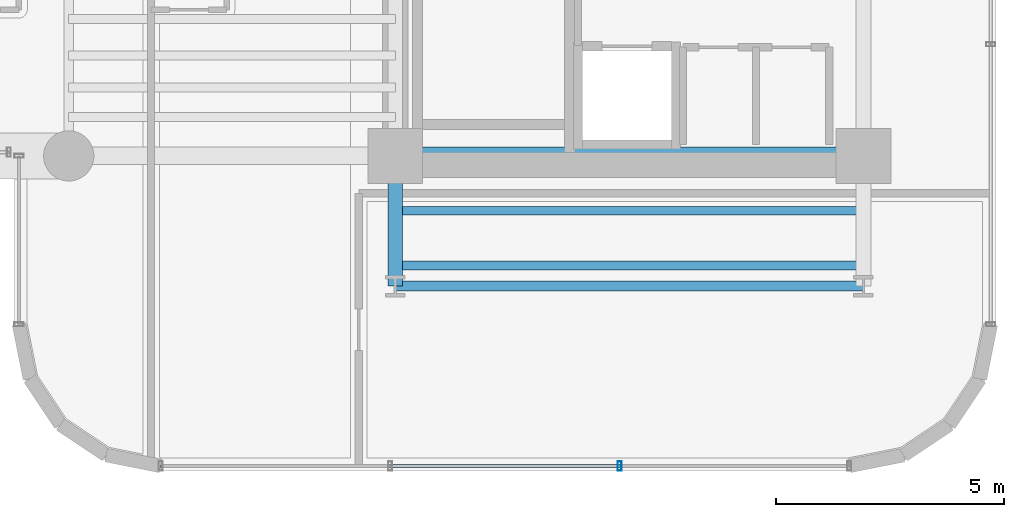
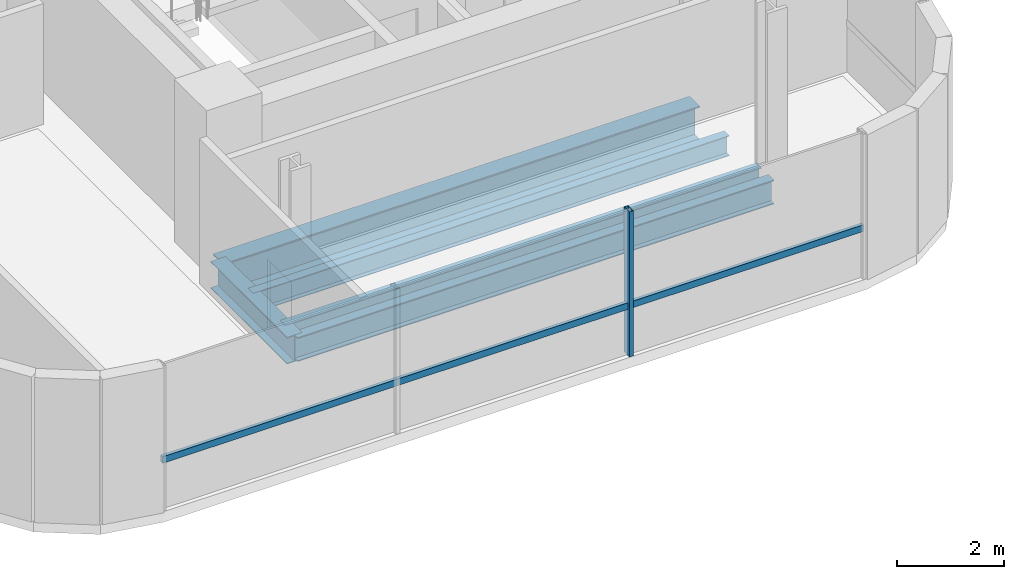
# One storey, part 3 of 35: 5 beams, 2 members, 1 element without a shape of its own.
"""IFC4 building model written with IfcOpenShell, lengths in metres."""

from ifc_helpers import new_model, si_unit, direction, frame, origin, origin_2d, place, context, subcontext, project, spatial, hollow_rectangle, i_section, extrude, source, transform, mapped, material, material_profile, profile_set, type_object, element, aggregate, save


model = new_model("IFC4")

# Units and contexts
model_context = context("Model", 3, precision=1e-05, world=origin(), true_north=direction((0.0, 1.0)))
body_context = subcontext(model_context, "Body", "Model", "MODEL_VIEW")
ifc_project = project(units=[si_unit("LENGTHUNIT", "METRE"), si_unit("AREAUNIT", "SQUARE_METRE"), si_unit("VOLUMEUNIT", "CUBIC_METRE"), si_unit("PLANEANGLEUNIT", "RADIAN"), si_unit("MASSUNIT", "GRAM", prefix="KILO")], contexts=[model_context])

# Site, building, storey
site_placement = place(None, origin())
site = spatial("IfcSite", under=ifc_project, at=site_placement, CompositionType="ELEMENT")
building_placement = place(site_placement, origin())
building = spatial("IfcBuilding", under=site, at=building_placement, Name="Valdorenza Pilgrim Sanctuary Tower", CompositionType="ELEMENT")
storey_placement = place(building_placement, frame((0.0, 0.0, 168.60009765625)))
storey = spatial("IfcBuildingStorey", under=building, at=storey_placement, Name="L43", CompositionType="ELEMENT", Elevation=168.60009765625)

# Beams
ifc_material_1 = material(Name="Steel ASTM A992 Grade 50", Category="steel")
ifc_material_profile_1 = material_profile(ifc_material_1, i_section(OverallWidth=0.214111328125, OverallDepth=0.549072265625, WebThickness=0.0146484375, FlangeThickness=0.023681640625, at=origin_2d()), Name="W21X93")
ifc_profile_set_1 = profile_set([ifc_material_profile_1], Name="Steel ASTM A992 Grade 50")
beam_type_1 = type_object("IfcBeamType", Name="STR-BM-SPN-W21A", PredefinedType="SPANDREL", material=ifc_profile_set_1)
shared_shape_1 = source(origin(), body_context, "Body", "SweptSolid", [
    extrude(i_section(OverallWidth=0.214111328125, OverallDepth=0.549072265625, WebThickness=0.0146484375, FlangeThickness=0.023681640625, at=origin_2d()), origin(), (0.0, 0.0, 1.0), 10.25),
])
beam_1_placement = place(storey_placement, frame((-22.64990234375, -13.449951171875, -0.5146484375), z_axis=(1.0, 0.0, 0.0), x_axis=(0.0, 1.0, 0.0)))
element("IfcBeam", 1, at=beam_1_placement, inside=storey, type_object=beam_type_1, Name="L43 South Spandrel WA-S-TIE", PredefinedType="SPANDREL", context=body_context, shape_type="MappedRepresentation", body=[
    mapped(shared_shape_1, transform((0.0, 0.0, 0.0), x_axis=(1.0, 0.0, 0.0), y_axis=(0.0, 1.0, 0.0), z_axis=(0.0, 0.0, 1.0), scale=1.0)),
])
ifc_material_profile_2 = material_profile(ifc_material_1, i_section(OverallWidth=0.323974609375, OverallDepth=0.611083984375, WebThickness=0.0126953125, FlangeThickness=0.01904296875, at=origin_2d()), Name="W24X104")
ifc_profile_set_2 = profile_set([ifc_material_profile_2], Name="Steel ASTM A992 Grade 50")
beam_type_2 = type_object("IfcBeamType", Name="STR-BM-GRD-W24B", PredefinedType="BEAM", material=ifc_profile_set_2)
shared_shape_2 = source(origin(), body_context, "Body", "SweptSolid", [
    extrude(i_section(OverallWidth=0.323974609375, OverallDepth=0.611083984375, WebThickness=0.0126953125, FlangeThickness=0.01904296875, at=origin_2d()), origin(), (0.0, 0.0, 1.0), 2.849853515625),
])
beam_2_placement = place(storey_placement, frame((-22.64990234375, -13.449951171875, -0.545654296875), z_axis=(0.0, 1.0, 0.0), x_axis=(-1.0, 0.0, 0.0)))
element("IfcBeam", 2, at=beam_2_placement, inside=storey, type_object=beam_type_2, Name="L43 Floor Girder WA-S-LW", PredefinedType="BEAM", context=body_context, shape_type="MappedRepresentation", body=[
    mapped(shared_shape_2, transform((0.0, 0.0, 0.0), x_axis=(1.0, 0.0, 0.0), y_axis=(0.0, 1.0, 0.0), z_axis=(0.0, 0.0, 1.0), scale=1.0)),
])
ifc_material_profile_3 = material_profile(ifc_material_1, i_section(OverallWidth=0.382080078125, OverallDepth=0.779052734375, WebThickness=0.01806640625, FlangeThickness=0.030029296875, at=origin_2d()), Name="W30X191")
ifc_profile_set_3 = profile_set([ifc_material_profile_3], Name="Steel ASTM A992 Grade 50")
beam_type_3 = type_object("IfcBeamType", Name="STR-BM-GRD-W30", PredefinedType="BEAM", material=ifc_profile_set_3)
shared_shape_3 = source(origin(), body_context, "Body", "SweptSolid", [
    extrude(i_section(OverallWidth=0.382080078125, OverallDepth=0.779052734375, WebThickness=0.01806640625, FlangeThickness=0.030029296875, at=origin_2d()), origin(), (0.0, 0.0, 1.0), 10.25),
])
beam_3_placement = place(storey_placement, frame((-22.64990234375, -10.60009765625, -0.629638671875), z_axis=(1.0, 0.0, 0.0), x_axis=(0.0, 1.0, 0.0)))
element("IfcBeam", 3, at=beam_3_placement, inside=storey, type_object=beam_type_3, Name="L43 Floor Girder CA-XC-S1", PredefinedType="BEAM", context=body_context, shape_type="MappedRepresentation", body=[
    mapped(shared_shape_3, transform((0.0, 0.0, 0.0), x_axis=(1.0, 0.0, 0.0), y_axis=(0.0, 1.0, 0.0), z_axis=(0.0, 0.0, 1.0), scale=1.0)),
])
ifc_material_profile_4 = material_profile(ifc_material_1, i_section(OverallWidth=0.19091796875, OverallDepth=0.45703125, WebThickness=0.009033203125, FlangeThickness=0.014404296875, at=origin_2d()), Name="W18X50")
ifc_profile_set_4 = profile_set([ifc_material_profile_4], Name="Steel ASTM A992 Grade 50")
beam_type_4 = type_object("IfcBeamType", Name="STR-BM-JST-W18B", PredefinedType="JOIST", material=ifc_profile_set_4)
shared_shape_4 = source(origin(), body_context, "Body", "SweptSolid", [
    extrude(i_section(OverallWidth=0.19091796875, OverallDepth=0.45703125, WebThickness=0.009033203125, FlangeThickness=0.014404296875, at=origin_2d()), origin(), (0.0, 0.0, 1.0), 10.25),
])
for number, where, z_axis, x_axis, name in (
    (4, (-22.64990234375, -13.0, -0.468505859375), (1.0, 0.0, 0.0), (0.0, 1.0, 0.0), "L43 Composite Floor Joist JST-WAS-1"),
    (5, (-22.64990234375, -11.800048828125, -0.468505859375), (1.0, 0.0, 0.0), (0.0, 1.0, 0.0), "L43 Composite Floor Joist JST-WAS-2"),
):
    element("IfcBeam", number, at=place(storey_placement, frame(where, z_axis=z_axis, x_axis=x_axis)), inside=storey, type_object=beam_type_4, Name=name, PredefinedType="JOIST", context=body_context, shape_type="MappedRepresentation", body=[
        mapped(shared_shape_4, transform((0.0, 0.0, 0.0), x_axis=(1.0, 0.0, 0.0), y_axis=(0.0, 1.0, 0.0), z_axis=(0.0, 0.0, 1.0), scale=1.0)),
    ])

# Curtain wall, members
ifc_material_2 = material(Name="Curtain-wall IGU glazing", Category="glass")
curtain_wall_type = type_object("IfcCurtainWallType", Name="CW-SYS-02", PredefinedType="NOTDEFINED", material=ifc_material_2)
curtain_wall_placement = place(storey_placement, origin())
curtain_wall = element("IfcCurtainWall", 6, at=curtain_wall_placement, inside=storey, type_object=curtain_wall_type, Name="L43 Curtain Wall CW-L43-1-26", PredefinedType="NOTDEFINED")
ifc_material_3 = material(Name="Anodised aluminium AW-6060", Category="aluminium")
ifc_material_profile_5 = material_profile(ifc_material_3, hollow_rectangle(XDim=0.074951171875, YDim=0.14990234375, WallThickness=0.00390625, at=origin_2d()), Name="ALU-T 150x75x4")
ifc_profile_set_5 = profile_set([ifc_material_profile_5], Name="Anodised aluminium AW-6060")
member_type_1 = type_object("IfcMemberType", Name="CW-TRN-02", PredefinedType="USERDEFINED", material=ifc_profile_set_5)
shared_shape_5 = source(origin(), body_context, "Body", "SweptSolid", [
    extrude(hollow_rectangle(XDim=0.074951171875, YDim=0.14990234375, WallThickness=0.00390625, at=origin_2d()), origin(), (0.0, 0.0, 1.0), 15.07861328125),
])
member_1_placement = place(storey_placement, frame((-12.710693359375, -17.389892578125, 1.119873046875), z_axis=(-1.0, 0.0, 0.0), x_axis=(0.0, -1.0, 0.0)))
member_1 = element("IfcMember", 7, at=member_1_placement, type_object=member_type_1, Name="CW-L43-1-26 Transom 1", ObjectType="TRANSOM", PredefinedType="USERDEFINED", context=body_context, shape_type="MappedRepresentation", body=[
    mapped(shared_shape_5, transform((0.0, 0.0, 0.0), x_axis=(1.0, 0.0, 0.0), y_axis=(0.0, 1.0, 0.0), z_axis=(0.0, 0.0, 1.0), scale=1.0)),
])
ifc_material_profile_6 = material_profile(ifc_material_3, hollow_rectangle(XDim=0.0849609375, YDim=0.199951171875, WallThickness=0.0048828125, at=origin_2d()), Name="ALU-M 200x85x5")
ifc_profile_set_6 = profile_set([ifc_material_profile_6], Name="Anodised aluminium AW-6060")
member_type_2 = type_object("IfcMemberType", Name="CW-MUL-02", PredefinedType="MULLION", material=ifc_profile_set_6)
shared_shape_6 = source(origin(), body_context, "Body", "SweptSolid", [
    extrude(hollow_rectangle(XDim=0.0849609375, YDim=0.199951171875, WallThickness=0.0048828125, at=origin_2d()), origin(), (0.0, 0.0, 1.0), 3.2998046875),
])
member_2_placement = place(storey_placement, frame((-17.73681640625, -17.389892578125, 0.0), z_axis=(0.0, 0.0, 1.0), x_axis=(-1.0, 0.0, 0.0)))
member_2 = element("IfcMember", 8, at=member_2_placement, type_object=member_type_2, Name="CW-L43-1-26 Mullion 2", PredefinedType="MULLION", context=body_context, shape_type="MappedRepresentation", body=[
    mapped(shared_shape_6, transform((0.0, 0.0, 0.0), x_axis=(1.0, 0.0, 0.0), y_axis=(0.0, 1.0, 0.0), z_axis=(0.0, 0.0, 1.0), scale=1.0)),
])
aggregate(curtain_wall, [member_2, member_1])

save(model, "model.ifc")
